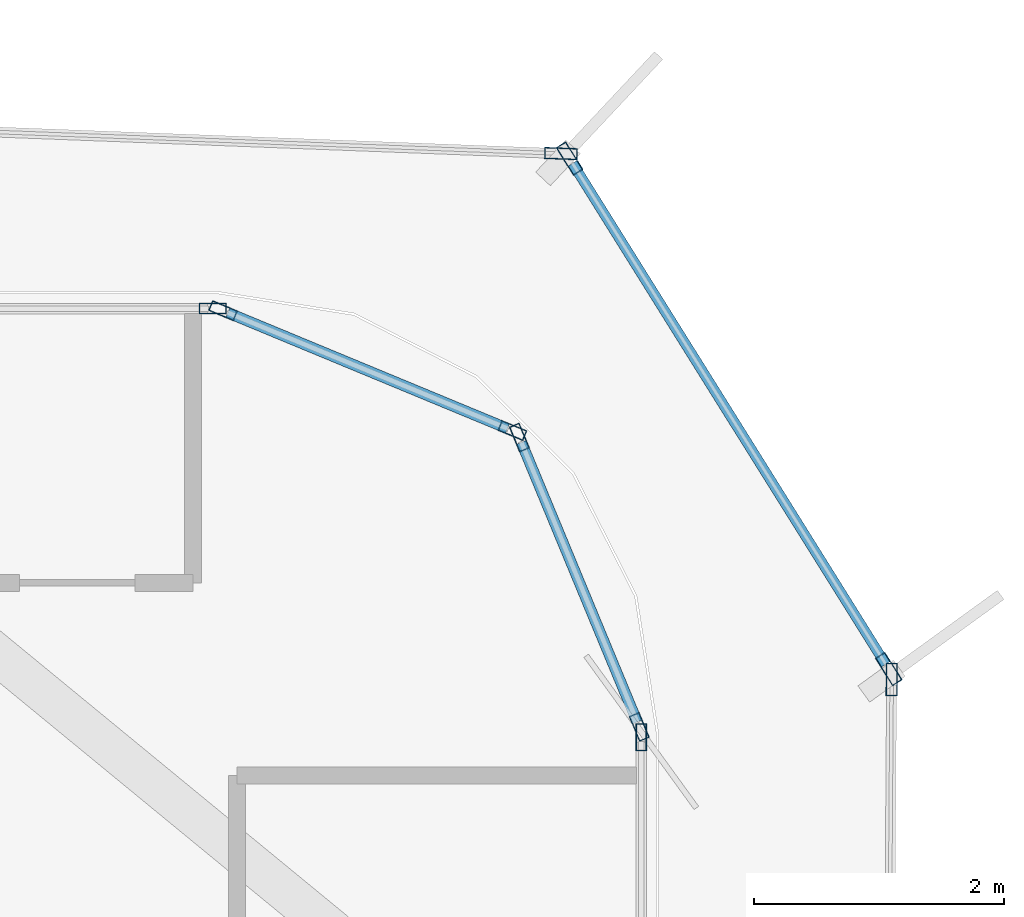
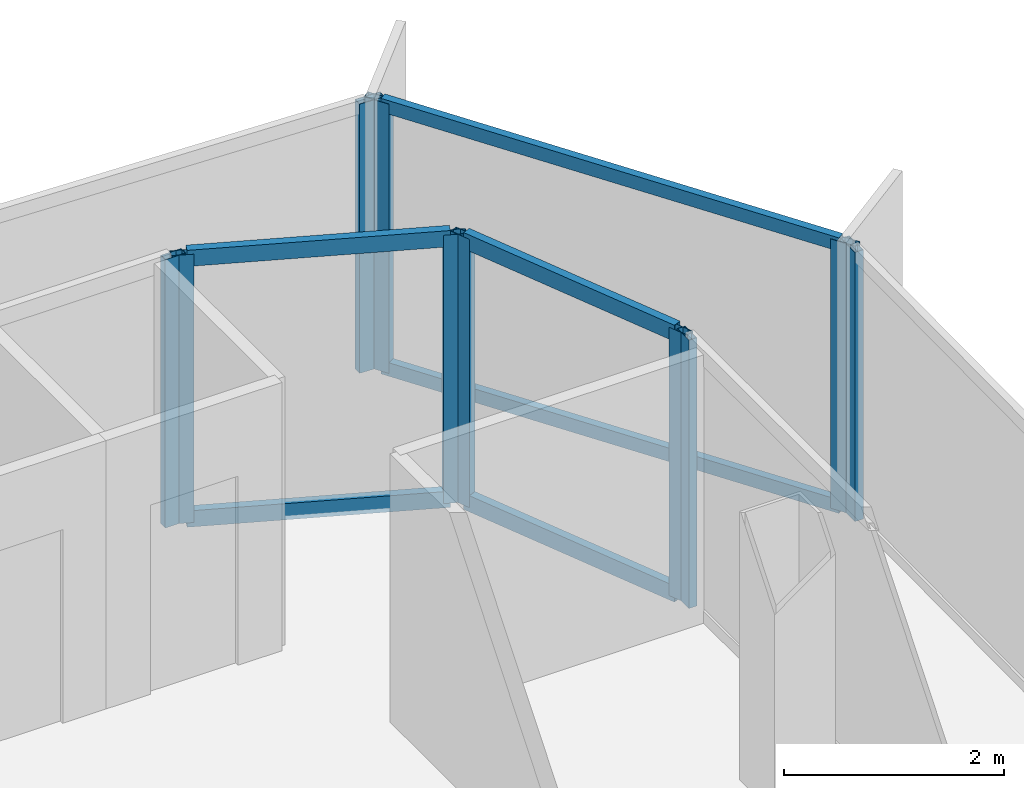
# One storey, part 8 of 15: 16 members, 7 elements without a shape of their own.
"""IFC4 building model written with IfcOpenShell, lengths in metres."""

import ifcopenshell
import ifcopenshell.guid

model = None  # the IFC model being written
_history = None  # IfcOwnerHistory: only IFC2X3 demands one
_inside = {}  # id of a spatial element -> (the spatial element, [elements in it])
_under = {}  # id of a project, library or spatial element -> (it, [spatial elements below it])
_declared = {}  # id of a project -> (the project, [libraries it declares])
_typed = {}  # id of a type object -> (the type object, [elements of that type])
_made_of = {}  # id of a material, layer set ... -> (it, [elements and type objects made of it])


def new_model(schema):
    """Start an empty IFC model of exactly this schema.

    Asked for "IFC4X3", IfcOpenShell would pick the latest addendum, in which some entities
    have other attributes; the version numbers below select the first issue.
    IFC2X3 requires an IfcOwnerHistory on every rooted entity: one is made here for all.
    """
    global model, _history
    if schema == "IFC4X3":
        model = ifcopenshell.file(schema_version=(4, 3, 0, 0))
    else:
        model = ifcopenshell.file(schema=schema)
    _inside.clear()
    _under.clear()
    _declared.clear()
    _typed.clear()
    _made_of.clear()
    _history = None
    if model.schema == "IFC2X3":
        org = make("IfcOrganization", Name="unknown")
        user = make(
            "IfcPersonAndOrganization",
            ThePerson=make("IfcPerson", FamilyName="unknown"),
            TheOrganization=org,
        )
        app = make(
            "IfcApplication",
            ApplicationDeveloper=org,
            Version="unknown",
            ApplicationFullName="unknown",
            ApplicationIdentifier="unknown",
        )
        _history = make(
            "IfcOwnerHistory",
            OwningUser=user,
            OwningApplication=app,
            ChangeAction="ADDED",
            CreationDate=0,
        )
    return model


def make(cls, **values):
    """One entity of the class cls with the attributes given. An attribute that is None is left unset."""
    return model.create_entity(
        cls, **{name: value for name, value in values.items() if value is not None}
    )


def rooted(cls, **values):
    """An entity with a GlobalId (a new one), such as an element, a storey or a relation."""
    return make(cls, GlobalId=ifcopenshell.guid.new(), OwnerHistory=_history, **values)


def si_unit(unit_type, name, prefix=None):
    """IfcSIUnit, for example si_unit("LENGTHUNIT", "METRE", prefix="MILLI")."""
    return make("IfcSIUnit", UnitType=unit_type, Prefix=prefix, Name=name)


def assignment(units):
    """IfcUnitAssignment: the units of a project."""
    return None if units is None else make("IfcUnitAssignment", Units=units)


def point(xyz):
    """IfcCartesianPoint."""
    return None if xyz is None else make("IfcCartesianPoint", Coordinates=xyz)


def direction(xyz):
    """IfcDirection."""
    return None if xyz is None else make("IfcDirection", DirectionRatios=xyz)


def frame(location, z_axis=None, x_axis=None):
    """IfcAxis2Placement3D, a coordinate frame: its origin and axes. An axis left out is left unset."""
    return make(
        "IfcAxis2Placement3D",
        Location=point(location),
        Axis=direction(z_axis),
        RefDirection=direction(x_axis),
    )


def frame_2d(location, x_axis=None):
    """IfcAxis2Placement2D, a coordinate frame in the plane: its origin and x axis."""
    return make(
        "IfcAxis2Placement2D", Location=point(location), RefDirection=direction(x_axis)
    )


def origin():
    """The frame at (0, 0, 0) with its axes left unset."""
    return frame((0.0, 0.0, 0.0))


def origin_2d():
    """The frame at (0, 0) in the plane with its x axis left unset."""
    return frame_2d((0.0, 0.0))


def place(relative_to, where):
    """IfcLocalPlacement: puts the frame where relative to a parent placement (None: the world)."""
    return make(
        "IfcLocalPlacement", PlacementRelTo=relative_to, RelativePlacement=where
    )


def context(
    kind, dimensions, precision=None, world=None, true_north=None, identifier=None
):
    """IfcGeometricRepresentationContext, for example the 3D "Model" context."""
    return make(
        "IfcGeometricRepresentationContext",
        ContextIdentifier=identifier,
        ContextType=kind,
        CoordinateSpaceDimension=dimensions,
        Precision=precision,
        WorldCoordinateSystem=world,
        TrueNorth=true_north,
    )


def subcontext(parent, identifier, kind, view, scale=None):
    """IfcGeometricRepresentationSubContext, for example "Body" below "Model"."""
    return make(
        "IfcGeometricRepresentationSubContext",
        ContextIdentifier=identifier,
        ContextType=kind,
        ParentContext=parent,
        TargetScale=scale,
        TargetView=view,
    )


def project(units=None, contexts=None):
    """IfcProject with its units and contexts."""
    return rooted(
        "IfcProject",
        Name="project",
        RepresentationContexts=contexts,
        UnitsInContext=assignment(units),
    )


def spatial(cls, under=None, at=None, **own):
    """A site, building, storey or space (cls), placed at a placement, below another one or the project."""
    s = rooted(cls, ObjectPlacement=at, **own)
    if under is not None:
        _under.setdefault(under.id(), (under, []))[1].append(s)
    return s


def profile(cls, at=None, kind="AREA", **sizes):
    """A parametric profile (cls). Its sizes go by their IFC names, for example OverallWidth=200.0."""
    return make(cls, ProfileType=kind, Position=at, **sizes)


def hollow_rectangle(**sizes):
    """IfcRectangleHollowProfileDef."""
    return profile("IfcRectangleHollowProfileDef", **sizes)


def extrude(swept, where, along, depth):
    """IfcExtrudedAreaSolid: the profile swept, set in the frame where, extruded along a direction by depth."""
    return make(
        "IfcExtrudedAreaSolid",
        SweptArea=swept,
        Position=where,
        ExtrudedDirection=direction(along),
        Depth=depth,
    )


def shape(context_of_items, identifier, shape_type, items):
    """IfcShapeRepresentation: the items that make up one representation, for example the "Body"."""
    return make(
        "IfcShapeRepresentation",
        ContextOfItems=context_of_items,
        RepresentationIdentifier=identifier,
        RepresentationType=shape_type,
        Items=items,
    )


def source(mapping_origin, context_of_items, identifier, shape_type, items):
    """IfcRepresentationMap: a shape defined once, which mapped items show again and again."""
    return make(
        "IfcRepresentationMap",
        MappingOrigin=mapping_origin,
        MappedRepresentation=shape(context_of_items, identifier, shape_type, items),
    )


def transform(
    local_origin,
    x_axis=None,
    y_axis=None,
    z_axis=None,
    scale=None,
    scale2=None,
    scale3=None,
    uniform=True,
):
    """IfcCartesianTransformationOperator3D, or its non-uniform kind. x_axis, y_axis, z_axis: its Axis1, 2, 3."""
    if uniform:
        return make(
            "IfcCartesianTransformationOperator3D",
            Axis1=direction(x_axis),
            Axis2=direction(y_axis),
            LocalOrigin=point(local_origin),
            Scale=scale,
            Axis3=direction(z_axis),
        )
    return make(
        "IfcCartesianTransformationOperator3DnonUniform",
        Axis1=direction(x_axis),
        Axis2=direction(y_axis),
        LocalOrigin=point(local_origin),
        Scale=scale,
        Axis3=direction(z_axis),
        Scale2=scale2,
        Scale3=scale3,
    )


def mapped(mapping_source, mapping_target):
    """IfcMappedItem: shows the shape of a source again, moved by a transform."""
    return make(
        "IfcMappedItem", MappingSource=mapping_source, MappingTarget=mapping_target
    )


def material(Name=None, Category=None):
    """IfcMaterial."""
    return make("IfcMaterial", Name=Name, Category=Category)


def layer(
    of_material, thickness, ventilated=None, Name=None, Category=None, Priority=None
):
    """IfcMaterialLayer: one layer of a wall or slab, of a material (None: an air gap)."""
    return make(
        "IfcMaterialLayer",
        Material=of_material,
        LayerThickness=thickness,
        IsVentilated=ventilated,
        Name=Name,
        Category=Category,
        Priority=Priority,
    )


def layer_set(layers, Name=None):
    """IfcMaterialLayerSet."""
    return make("IfcMaterialLayerSet", MaterialLayers=layers, LayerSetName=Name)


def material_profile(
    of_material, cross_section, Name=None, Category=None, Priority=None
):
    """IfcMaterialProfile: a cross section and its material."""
    return make(
        "IfcMaterialProfile",
        Name=Name,
        Material=of_material,
        Profile=cross_section,
        Priority=Priority,
        Category=Category,
    )


def profile_set(profiles, Name=None, composite=None):
    """IfcMaterialProfileSet."""
    return make(
        "IfcMaterialProfileSet",
        Name=Name,
        MaterialProfiles=profiles,
        CompositeProfile=composite,
    )


def made_of(thing, what):
    """Note that an element or type object is made of a material, layer set ...; save() writes the relation."""
    if what is not None:
        _made_of.setdefault(what.id(), (what, []))[1].append(thing)
    return thing


def type_object(cls, material=None, **own):
    """A type object (cls), such as IfcWallType, which elements share."""
    return made_of(rooted(cls, **own), material)


def element(
    cls,
    number,
    at=None,
    inside=None,
    cuts=None,
    type_object=None,
    material=None,
    context=None,
    identifier="Body",
    shape_type=None,
    held_by="IfcProductDefinitionShape",
    body=None,
    shapes=None,
    **own,
):
    """One element of the class cls, such as IfcWall. Its Tag is "e" and its number.

    at: its placement. inside: the storey or other place that contains it. cuts: it is an
    opening in that element (IfcRelVoidsElement). A single representation is given by context,
    identifier, shape_type and body (its items); several are given by shapes. held_by: the class
    of the entity that holds the representations. save() writes the other relations.
    """
    e = rooted(cls, Tag="e%d" % number, ObjectPlacement=at, **own)
    if body is not None:
        shapes = [shape(context, identifier, shape_type, body)]
    if shapes is not None:
        e.Representation = make(held_by, Representations=shapes)
    if inside is not None:
        _inside.setdefault(inside.id(), (inside, []))[1].append(e)
    if cuts is not None:
        rooted(
            "IfcRelVoidsElement", RelatingBuildingElement=cuts, RelatedOpeningElement=e
        )
    if type_object is not None:
        _typed.setdefault(type_object.id(), (type_object, []))[1].append(e)
    return made_of(e, material)


def aggregate(whole, parts):
    """IfcRelAggregates: a whole, such as a stair, and the parts it consists of."""
    return rooted("IfcRelAggregates", RelatingObject=whole, RelatedObjects=parts)


def save(model, path):
    """Write the relations noted so far, then the file.

    IfcRelAggregates (storeys below a building ...), IfcRelContainedInSpatialStructure (elements
    in a storey), IfcRelDefinesByType, IfcRelAssociatesMaterial and IfcRelDeclares: one each for
    every whole, place, type object, material and project.
    """
    for whole, parts in _under.values():
        aggregate(whole, parts)
    for where, things in _inside.values():
        rooted(
            "IfcRelContainedInSpatialStructure",
            RelatedElements=things,
            RelatingStructure=where,
        )
    for kind, things in _typed.values():
        rooted("IfcRelDefinesByType", RelatedObjects=things, RelatingType=kind)
    for what, things in _made_of.values():
        rooted("IfcRelAssociatesMaterial", RelatedObjects=things, RelatingMaterial=what)
    for by, libraries in _declared.values():
        rooted("IfcRelDeclares", RelatingContext=by, RelatedDefinitions=libraries)
    model.write(path)


model = new_model("IFC4")

# Units and contexts
model_context = context("Model", 3, precision=1e-05, world=origin(), true_north=direction((0.0, 1.0)))
body_context = subcontext(model_context, "Body", "Model", "MODEL_VIEW")
ifc_project = project(units=[si_unit("LENGTHUNIT", "METRE"), si_unit("AREAUNIT", "SQUARE_METRE"), si_unit("VOLUMEUNIT", "CUBIC_METRE"), si_unit("PLANEANGLEUNIT", "RADIAN"), si_unit("MASSUNIT", "GRAM", prefix="KILO")], contexts=[model_context])

# Site, building, storey
site_placement = place(None, origin())
site = spatial("IfcSite", under=ifc_project, at=site_placement, CompositionType="ELEMENT")
building_placement = place(site_placement, origin())
building = spatial("IfcBuilding", under=site, at=building_placement, Name="Kolveth Station Tower", CompositionType="ELEMENT")
storey_placement = place(building_placement, frame((0.0, 0.0, 229.699951171875)))
storey = spatial("IfcBuildingStorey", under=building, at=storey_placement, Name="L65", CompositionType="ELEMENT", Elevation=229.699951171875)

# Curtain wall, member
ifc_material_1 = material(Name="Black anodized aluminium 6063-T6 and dark solar glass", Category="aluminium")
ifc_layer_1 = layer(ifc_material_1, 0.159912109375)
ifc_layer_set_1 = layer_set([ifc_layer_1], Name="Black anodized aluminium 6063-T6 and dark solar glass")
curtain_wall_type_1 = type_object("IfcCurtainWallType", Name="OUTER SKIN CW-OS", PredefinedType="NOTDEFINED", material=ifc_layer_set_1)
curtain_wall_1_placement = place(storey_placement, origin())
curtain_wall_1 = element("IfcCurtainWall", 1, at=curtain_wall_1_placement, inside=storey, type_object=curtain_wall_type_1, Name="L65 Outer Ventilated Skin Curtain Wall 2", PredefinedType="NOTDEFINED")
ifc_material_2 = material(Name="Black anodized aluminium 6063-T6", Category="aluminium")
ifc_material_profile_1 = material_profile(ifc_material_2, hollow_rectangle(XDim=0.090087890625, YDim=0.260009765625, WallThickness=0.0048828125, at=origin_2d()), Name="ALU-90x260x5")
ifc_profile_set_1 = profile_set([ifc_material_profile_1], Name="Black anodized aluminium 6063-T6")
member_type_1 = type_object("IfcMemberType", Name="FIN MULLION ML-OS", PredefinedType="MULLION", material=ifc_profile_set_1)
shared_shape_1 = source(origin(), body_context, "Body", "SweptSolid", [
    extrude(hollow_rectangle(XDim=0.090087890625, YDim=0.260009765625, WallThickness=0.0048828125, at=origin_2d()), origin(), (0.0, 0.0, 1.0), 2.989990234375),
])
member_1_placement = place(storey_placement, frame((43.6796875, 32.218505859375, 0.0), z_axis=(0.0, 0.0, 1.0), x_axis=(-0.999974173773, 0.007186917807, 0.0)))
member_1 = element("IfcMember", 2, at=member_1_placement, type_object=member_type_1, Name="CW-OS mullion 2", PredefinedType="MULLION", context=body_context, shape_type="MappedRepresentation", body=[
    mapped(shared_shape_1, transform((0.0, 0.0, 0.0), x_axis=(1.0, 0.0, 0.0), y_axis=(0.0, 1.0, 0.0), z_axis=(0.0, 0.0, 1.0), scale=1.0)),
])
aggregate(curtain_wall_1, [member_1])

# Curtain wall, members
curtain_wall_2_placement = place(storey_placement, origin())
curtain_wall_2 = element("IfcCurtainWall", 3, at=curtain_wall_2_placement, inside=storey, type_object=curtain_wall_type_1, Name="L65 Outer Ventilated Skin Curtain Wall 3", PredefinedType="NOTDEFINED")
member_2_placement = place(storey_placement, frame((43.656005859375, 32.301513671875, 0.0), z_axis=(0.0, 0.0, 1.0), x_axis=(-0.847923740446, -0.53011822303, 0.0)))
member_2 = element("IfcMember", 4, at=member_2_placement, type_object=member_type_1, Name="CW-OS mullion 1", PredefinedType="MULLION", context=body_context, shape_type="MappedRepresentation", body=[
    mapped(shared_shape_1, transform((0.0, 0.0, 0.0), x_axis=(1.0, 0.0, 0.0), y_axis=(0.0, 1.0, 0.0), z_axis=(0.0, 0.0, 1.0), scale=1.0)),
])
member_3_placement = place(storey_placement, frame((41.107177734375, 36.37841796875, 0.0), z_axis=(0.0, 0.0, 1.0), x_axis=(-0.847923740446, -0.53011822303, 0.0)))
member_3 = element("IfcMember", 5, at=member_3_placement, type_object=member_type_1, Name="CW-OS mullion 2", PredefinedType="MULLION", context=body_context, shape_type="MappedRepresentation", body=[
    mapped(shared_shape_1, transform((0.0, 0.0, 0.0), x_axis=(1.0, 0.0, 0.0), y_axis=(0.0, 1.0, 0.0), z_axis=(0.0, 0.0, 1.0), scale=1.0)),
])

# Curtain wall, member
curtain_wall_3_placement = place(storey_placement, origin())
curtain_wall_3 = element("IfcCurtainWall", 6, at=curtain_wall_3_placement, inside=storey, type_object=curtain_wall_type_1, Name="L65 Outer Ventilated Skin Curtain Wall 4", PredefinedType="NOTDEFINED")
member_4_placement = place(storey_placement, frame((41.038330078125, 36.418212890625, 0.0), z_axis=(0.0, 0.0, 1.0), x_axis=(-0.038176791838, -0.999271000562, 0.0)))
member_4 = element("IfcMember", 7, at=member_4_placement, type_object=member_type_1, Name="CW-OS mullion 1", PredefinedType="MULLION", context=body_context, shape_type="MappedRepresentation", body=[
    mapped(shared_shape_1, transform((0.0, 0.0, 0.0), x_axis=(1.0, 0.0, 0.0), y_axis=(0.0, 1.0, 0.0), z_axis=(0.0, 0.0, 1.0), scale=1.0)),
])
aggregate(curtain_wall_3, [member_4])

ifc_material_3 = material(Name="Aluminium 6063-T6 and triple low-E dark glass", Category="aluminium")
ifc_layer_2 = layer(ifc_material_3, 0.199951171875)
ifc_layer_set_2 = layer_set([ifc_layer_2], Name="Aluminium 6063-T6 and triple low-E dark glass")
curtain_wall_type_2 = type_object("IfcCurtainWallType", Name="CurtainWall_CW-Z3", PredefinedType="NOTDEFINED", material=ifc_layer_set_2)
curtain_wall_4_placement = place(storey_placement, origin())
curtain_wall_4 = element("IfcCurtainWall", 8, at=curtain_wall_4_placement, inside=storey, type_object=curtain_wall_type_2, Name="L65 Inner Thermal Curtain Wall 3", PredefinedType="NOTDEFINED")
ifc_material_profile_2 = material_profile(ifc_material_2, hollow_rectangle(XDim=0.0849609375, YDim=0.215087890625, WallThickness=0.0048828125, at=origin_2d()), Name="ALU-85x215x5")
ifc_profile_set_2 = profile_set([ifc_material_profile_2], Name="Black anodized aluminium 6063-T6")
member_type_2 = type_object("IfcMemberType", Name="Mullion_ML3", PredefinedType="MULLION", material=ifc_profile_set_2)
shared_shape_2 = source(origin(), body_context, "Body", "SweptSolid", [
    extrude(hollow_rectangle(XDim=0.0849609375, YDim=0.215087890625, WallThickness=0.0048828125, at=origin_2d()), origin(), (0.0, 0.0, 1.0), 2.97998046875),
])
member_5_placement = place(storey_placement, frame((41.679931640625, 31.757568359375, 0.0), z_axis=(0.0, 0.0, 1.0), x_axis=(-1.0, 0.0, 0.0)))
member_5 = element("IfcMember", 9, at=member_5_placement, type_object=member_type_2, Name="CW-Z3 mullion 2", PredefinedType="MULLION", context=body_context, shape_type="MappedRepresentation", body=[
    mapped(shared_shape_2, transform((0.0, 0.0, 0.0), x_axis=(1.0, 0.0, 0.0), y_axis=(0.0, 1.0, 0.0), z_axis=(0.0, 0.0, 1.0), scale=1.0)),
])
aggregate(curtain_wall_4, [member_5])

# Curtain wall, members
curtain_wall_5_placement = place(storey_placement, origin())
curtain_wall_5 = element("IfcCurtainWall", 10, at=curtain_wall_5_placement, inside=storey, type_object=curtain_wall_type_2, Name="L65 Inner Thermal Curtain Wall 4", PredefinedType="NOTDEFINED")
member_6_placement = place(storey_placement, frame((41.663818359375, 31.83935546875, 0.0), z_axis=(0.0, 0.0, 1.0), x_axis=(-0.923875488975, -0.382693194181, 0.0)))
member_6 = element("IfcMember", 11, at=member_6_placement, type_object=member_type_2, Name="CW-Z3 mullion 1", PredefinedType="MULLION", context=body_context, shape_type="MappedRepresentation", body=[
    mapped(shared_shape_2, transform((0.0, 0.0, 0.0), x_axis=(1.0, 0.0, 0.0), y_axis=(0.0, 1.0, 0.0), z_axis=(0.0, 0.0, 1.0), scale=1.0)),
])
member_7_placement = place(storey_placement, frame((40.706298828125, 34.150634765625, 0.0), z_axis=(0.0, 0.0, 1.0), x_axis=(-0.923875488975, -0.382693194181, 0.0)))
member_7 = element("IfcMember", 12, at=member_7_placement, type_object=member_type_2, Name="CW-Z3 mullion 2", PredefinedType="MULLION", context=body_context, shape_type="MappedRepresentation", body=[
    mapped(shared_shape_2, transform((0.0, 0.0, 0.0), x_axis=(1.0, 0.0, 0.0), y_axis=(0.0, 1.0, 0.0), z_axis=(0.0, 0.0, 1.0), scale=1.0)),
])

curtain_wall_6_placement = place(storey_placement, origin())
curtain_wall_6 = element("IfcCurtainWall", 13, at=curtain_wall_6_placement, inside=storey, type_object=curtain_wall_type_2, Name="L65 Inner Thermal Curtain Wall 5", PredefinedType="NOTDEFINED")
member_8_placement = place(storey_placement, frame((40.650634765625, 34.206298828125, 0.0), z_axis=(0.0, 0.0, 1.0), x_axis=(-0.382693194181, -0.923875488975, 0.0)))
member_8 = element("IfcMember", 14, at=member_8_placement, type_object=member_type_2, Name="CW-Z3 mullion 1", PredefinedType="MULLION", context=body_context, shape_type="MappedRepresentation", body=[
    mapped(shared_shape_2, transform((0.0, 0.0, 0.0), x_axis=(1.0, 0.0, 0.0), y_axis=(0.0, 1.0, 0.0), z_axis=(0.0, 0.0, 1.0), scale=1.0)),
])
member_9_placement = place(storey_placement, frame((38.33935546875, 35.163818359375, 0.0), z_axis=(0.0, 0.0, 1.0), x_axis=(-0.382693194181, -0.923875488975, 0.0)))
member_9 = element("IfcMember", 15, at=member_9_placement, type_object=member_type_2, Name="CW-Z3 mullion 2", PredefinedType="MULLION", context=body_context, shape_type="MappedRepresentation", body=[
    mapped(shared_shape_2, transform((0.0, 0.0, 0.0), x_axis=(1.0, 0.0, 0.0), y_axis=(0.0, 1.0, 0.0), z_axis=(0.0, 0.0, 1.0), scale=1.0)),
])

# Curtain wall, member
curtain_wall_7_placement = place(storey_placement, origin())
curtain_wall_7 = element("IfcCurtainWall", 16, at=curtain_wall_7_placement, inside=storey, type_object=curtain_wall_type_2, Name="L65 Inner Thermal Curtain Wall 6", PredefinedType="NOTDEFINED")
member_10_placement = place(storey_placement, frame((38.257568359375, 35.179931640625, 0.0), z_axis=(0.0, 0.0, 1.0), x_axis=(0.0, -1.0, 0.0)))
member_10 = element("IfcMember", 17, at=member_10_placement, type_object=member_type_2, Name="CW-Z3 mullion 1", PredefinedType="MULLION", context=body_context, shape_type="MappedRepresentation", body=[
    mapped(shared_shape_2, transform((0.0, 0.0, 0.0), x_axis=(1.0, 0.0, 0.0), y_axis=(0.0, 1.0, 0.0), z_axis=(0.0, 0.0, 1.0), scale=1.0)),
])
aggregate(curtain_wall_7, [member_10])

# Member
ifc_material_profile_3 = material_profile(ifc_material_2, hollow_rectangle(XDim=0.0849609375, YDim=0.179931640625, WallThickness=0.0048828125, at=origin_2d()), Name="ALU-85x180x5")
ifc_profile_set_3 = profile_set([ifc_material_profile_3], Name="Black anodized aluminium 6063-T6")
member_type_3 = type_object("IfcMemberType", Name="Transom_TR3", PredefinedType="USERDEFINED", material=ifc_profile_set_3)
shared_shape_3 = source(origin(), body_context, "Body", "SweptSolid", [
    extrude(hollow_rectangle(XDim=0.0849609375, YDim=0.179931640625, WallThickness=0.0048828125, at=origin_2d()), origin(), (0.0, 0.0, 1.0), 2.417236328125),
])
member_11_placement = place(storey_placement, frame((41.6474609375, 31.87841796875, 0.04248046875), z_axis=(-0.382699687013, 0.923872799448, 0.0), x_axis=(-0.923872799448, -0.382699687013, 0.0)))
member_11 = element("IfcMember", 18, at=member_11_placement, type_object=member_type_3, Name="CW-Z3 transom 1.1", ObjectType="TRANSOM", PredefinedType="USERDEFINED", context=body_context, shape_type="MappedRepresentation", body=[
    mapped(shared_shape_3, transform((0.0, 0.0, 0.0), x_axis=(1.0, 0.0, 0.0), y_axis=(0.0, 1.0, 0.0), z_axis=(0.0, 0.0, 1.0), scale=1.0)),
])

member_12_placement = place(storey_placement, frame((41.6474609375, 31.87841796875, 2.9375), z_axis=(-0.382699687013, 0.923872799448, 0.0), x_axis=(-0.923872799448, -0.382699687013, 0.0)))
member_12 = element("IfcMember", 19, at=member_12_placement, type_object=member_type_3, Name="CW-Z3 transom 1.2", ObjectType="TRANSOM", PredefinedType="USERDEFINED", context=body_context, shape_type="MappedRepresentation", body=[
    mapped(shared_shape_3, transform((0.0, 0.0, 0.0), x_axis=(1.0, 0.0, 0.0), y_axis=(0.0, 1.0, 0.0), z_axis=(0.0, 0.0, 1.0), scale=1.0)),
])

aggregate(curtain_wall_5, [member_6, member_7, member_11, member_12])

member_13_placement = place(storey_placement, frame((40.611572265625, 34.222412109375, 0.04248046875), z_axis=(-0.923872799448, 0.382699687013, 0.0), x_axis=(-0.382699687013, -0.923872799448, 0.0)))
member_13 = element("IfcMember", 20, at=member_13_placement, type_object=member_type_3, Name="CW-Z3 transom 1.1", ObjectType="TRANSOM", PredefinedType="USERDEFINED", context=body_context, shape_type="MappedRepresentation", body=[
    mapped(shared_shape_3, transform((0.0, 0.0, 0.0), x_axis=(1.0, 0.0, 0.0), y_axis=(0.0, 1.0, 0.0), z_axis=(0.0, 0.0, 1.0), scale=1.0)),
])

member_14_placement = place(storey_placement, frame((40.611572265625, 34.222412109375, 2.9375), z_axis=(-0.923872799448, 0.382699687013, 0.0), x_axis=(-0.382699687013, -0.923872799448, 0.0)))
member_14 = element("IfcMember", 21, at=member_14_placement, type_object=member_type_3, Name="CW-Z3 transom 1.2", ObjectType="TRANSOM", PredefinedType="USERDEFINED", context=body_context, shape_type="MappedRepresentation", body=[
    mapped(shared_shape_3, transform((0.0, 0.0, 0.0), x_axis=(1.0, 0.0, 0.0), y_axis=(0.0, 1.0, 0.0), z_axis=(0.0, 0.0, 1.0), scale=1.0)),
])

aggregate(curtain_wall_6, [member_8, member_9, member_13, member_14])

ifc_material_profile_4 = material_profile(ifc_material_2, hollow_rectangle(XDim=0.080078125, YDim=0.14990234375, WallThickness=0.0048828125, at=origin_2d()), Name="ALU-80x150x5")
ifc_profile_set_4 = profile_set([ifc_material_profile_4], Name="Black anodized aluminium 6063-T6")
member_type_4 = type_object("IfcMemberType", Name="Transom_TR-OS", PredefinedType="USERDEFINED", material=ifc_profile_set_4)
shared_shape_4 = source(origin(), body_context, "Body", "SweptSolid", [
    extrude(hollow_rectangle(XDim=0.080078125, YDim=0.14990234375, WallThickness=0.0048828125, at=origin_2d()), origin(), (0.0, 0.0, 1.0), 4.718017578125),
])
member_15_placement = place(storey_placement, frame((43.632080078125, 32.339599609375, 0.0400390625), z_axis=(-0.530101268255, 0.847934340261, 0.0), x_axis=(-0.847934340261, -0.530101268255, 0.0)))
member_15 = element("IfcMember", 22, at=member_15_placement, type_object=member_type_4, Name="CW-OS transom 1.1", ObjectType="TRANSOM", PredefinedType="USERDEFINED", context=body_context, shape_type="MappedRepresentation", body=[
    mapped(shared_shape_4, transform((0.0, 0.0, 0.0), x_axis=(1.0, 0.0, 0.0), y_axis=(0.0, 1.0, 0.0), z_axis=(0.0, 0.0, 1.0), scale=1.0)),
])

member_16_placement = place(storey_placement, frame((43.632080078125, 32.339599609375, 2.949951171875), z_axis=(-0.530101268255, 0.847934340261, 0.0), x_axis=(-0.847934340261, -0.530101268255, 0.0)))
member_16 = element("IfcMember", 23, at=member_16_placement, type_object=member_type_4, Name="CW-OS transom 1.2", ObjectType="TRANSOM", PredefinedType="USERDEFINED", context=body_context, shape_type="MappedRepresentation", body=[
    mapped(shared_shape_4, transform((0.0, 0.0, 0.0), x_axis=(1.0, 0.0, 0.0), y_axis=(0.0, 1.0, 0.0), z_axis=(0.0, 0.0, 1.0), scale=1.0)),
])

aggregate(curtain_wall_2, [member_2, member_3, member_15, member_16])

save(model, "model.ifc")
